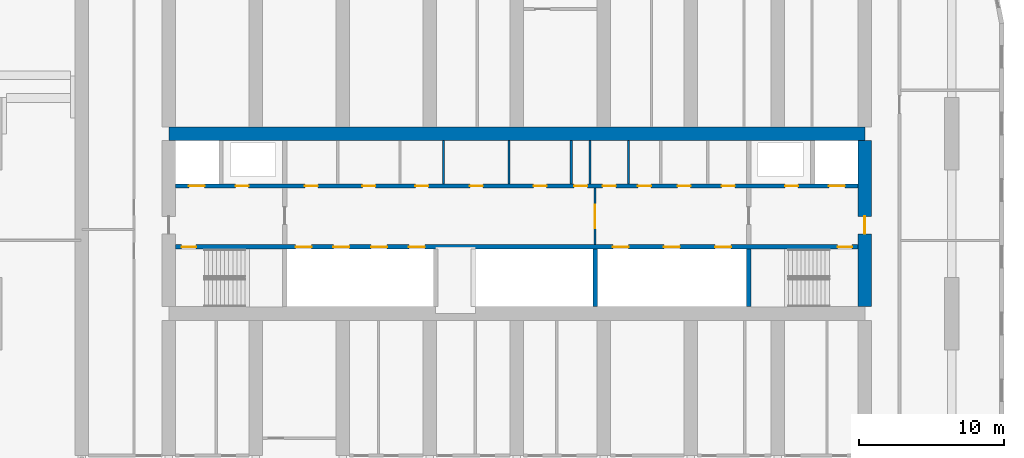
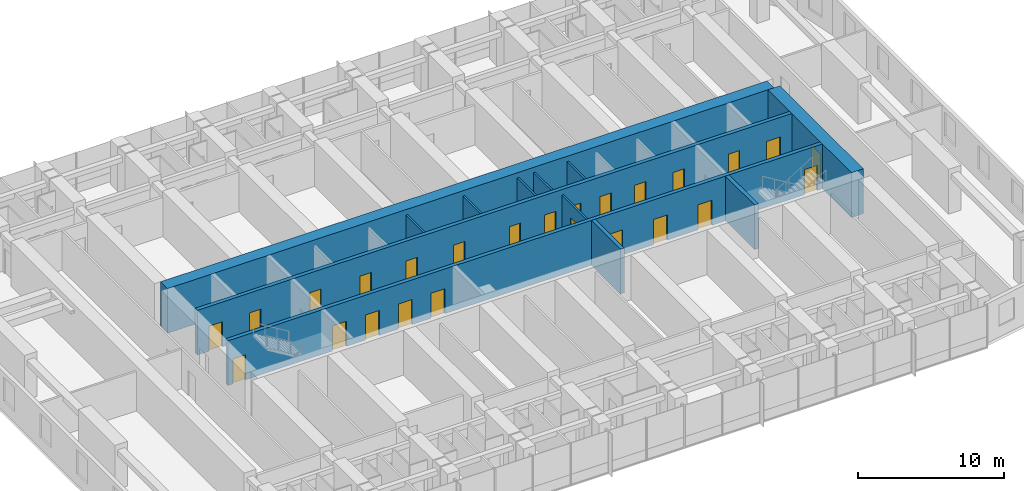
# One storey, part 12 of 22: 25 doors, 12 walls, 25 openings.
"""IFC4 building model written with IfcOpenShell, lengths in metres."""

from ifc_helpers import new_model, si_unit, direction, frame, frame_2d, origin, place, context, subcontext, project, spatial, rectangle, extrude, material, layer, layer_set, type_object, element, fill, save


model = new_model("IFC4")

# Units and contexts
model_context = context("Model", 3, precision=1e-05, world=origin(), true_north=direction((0.0, 1.0)))
body_context = subcontext(model_context, "Body", "Model", "MODEL_VIEW")
ifc_project = project(units=[si_unit("LENGTHUNIT", "METRE"), si_unit("AREAUNIT", "SQUARE_METRE"), si_unit("VOLUMEUNIT", "CUBIC_METRE"), si_unit("PLANEANGLEUNIT", "RADIAN"), si_unit("MASSUNIT", "GRAM", prefix="KILO")], contexts=[model_context])

# Site, building, storey
site_placement = place(None, origin())
site = spatial("IfcSite", under=ifc_project, at=site_placement, CompositionType="ELEMENT")
building_placement = place(site_placement, origin())
building = spatial("IfcBuilding", under=site, at=building_placement, Name="Orbita Commons", CompositionType="ELEMENT")
storey_placement = place(building_placement, frame((0.0, 0.0, 80.64990234375)))
storey = spatial("IfcBuildingStorey", under=building, at=storey_placement, Name="L19", CompositionType="ELEMENT", Elevation=80.64990234375)

# Wall, openings, doors
ifc_material_1 = material(Name="Concrete C50/60", Category="concrete")
ifc_layer_1 = layer(ifc_material_1, 0.300048828125)
ifc_layer_set_1 = layer_set([ifc_layer_1], Name="Concrete C50/60")
wall_type_1 = type_object("IfcWallType", Name="Core inner wall 300 C50/60", PredefinedType="SHEAR", material=ifc_layer_set_1)
wall_1_placement = place(storey_placement, frame((18.47509765625, 30.39990234375, 0.0), z_axis=(0.0, 0.0, 1.0), x_axis=(1.0, 0.0, 0.0)))
wall_1 = element("IfcWall", 1, at=wall_1_placement, inside=storey, type_object=wall_type_1, Name="Lobby wall south L19", PredefinedType="SHEAR", context=body_context, shape_type="SweptSolid", body=[
    extrude(rectangle(XDim=47.0498046875, YDim=0.300048828125, at=frame_2d((23.52490234375, 0.0))), origin(), (0.0, 0.0, 1.0), 3.75),
])
opening_1_placement = place(wall_1_placement, frame((0.39990234375, 0.0, 0.0)))
opening_1 = element("IfcOpeningElement", 2, at=opening_1_placement, cuts=wall_1, Name="Opening D02", PredefinedType="OPENING", context=body_context, shape_type="SweptSolid", body=[
    extrude(rectangle(XDim=1.0, YDim=2.10009765625, at=frame_2d((0.5, 1.050048828125))), frame((0.0, 0.159912109375, 0.0), z_axis=(0.0, -1.0, 0.0), x_axis=(1.0, 0.0, 0.0)), (0.0, 0.0, 1.0), 0.320068359375),
])
opening_2_placement = place(wall_1_placement, frame((45.64990234375, 0.0, 0.0)))
opening_2 = element("IfcOpeningElement", 3, at=opening_2_placement, cuts=wall_1, Name="Opening D02", PredefinedType="OPENING", context=body_context, shape_type="SweptSolid", body=[
    extrude(rectangle(XDim=1.0, YDim=2.10009765625, at=frame_2d((0.5, 1.050048828125))), frame((0.0, 0.159912109375, 0.0), z_axis=(0.0, -1.0, 0.0), x_axis=(1.0, 0.0, 0.0)), (0.0, 0.0, 1.0), 0.320068359375),
])
opening_3_placement = place(wall_1_placement, frame((8.27490234375, 0.0, 0.0)))
opening_3 = element("IfcOpeningElement", 4, at=opening_3_placement, cuts=wall_1, Name="Opening LD02", PredefinedType="OPENING", context=body_context, shape_type="SweptSolid", body=[
    extrude(rectangle(XDim=1.10009765625, YDim=2.10009765625, at=frame_2d((0.550048828125, 1.050048828125))), frame((0.0, 0.159912109375, 0.0), z_axis=(0.0, -1.0, 0.0), x_axis=(1.0, 0.0, 0.0)), (0.0, 0.0, 1.0), 0.320068359375),
])
opening_4_placement = place(wall_1_placement, frame((10.875, 0.0, 0.0)))
opening_4 = element("IfcOpeningElement", 5, at=opening_4_placement, cuts=wall_1, Name="Opening LD02", PredefinedType="OPENING", context=body_context, shape_type="SweptSolid", body=[
    extrude(rectangle(XDim=1.10009765625, YDim=2.10009765625, at=frame_2d((0.550048828125, 1.050048828125))), frame((0.0, 0.159912109375, 0.0), z_axis=(0.0, -1.0, 0.0), x_axis=(1.0, 0.0, 0.0)), (0.0, 0.0, 1.0), 0.320068359375),
])
opening_5_placement = place(wall_1_placement, frame((13.47509765625, 0.0, 0.0)))
opening_5 = element("IfcOpeningElement", 6, at=opening_5_placement, cuts=wall_1, Name="Opening LD02", PredefinedType="OPENING", context=body_context, shape_type="SweptSolid", body=[
    extrude(rectangle(XDim=1.10009765625, YDim=2.10009765625, at=frame_2d((0.550048828125, 1.050048828125))), frame((0.0, 0.159912109375, 0.0), z_axis=(0.0, -1.0, 0.0), x_axis=(1.0, 0.0, 0.0)), (0.0, 0.0, 1.0), 0.320068359375),
])
opening_6_placement = place(wall_1_placement, frame((16.074951171875, 0.0, 0.0)))
opening_6 = element("IfcOpeningElement", 7, at=opening_6_placement, cuts=wall_1, Name="Opening LD02", PredefinedType="OPENING", context=body_context, shape_type="SweptSolid", body=[
    extrude(rectangle(XDim=1.10009765625, YDim=2.10009765625, at=frame_2d((0.550048828125, 1.050048828125))), frame((0.0, 0.159912109375, 0.0), z_axis=(0.0, -1.0, 0.0), x_axis=(1.0, 0.0, 0.0)), (0.0, 0.0, 1.0), 0.320068359375),
])
opening_7_placement = place(wall_1_placement, frame((30.1416015625, 0.0, 0.0)))
opening_7 = element("IfcOpeningElement", 8, at=opening_7_placement, cuts=wall_1, Name="Opening LD02", PredefinedType="OPENING", context=body_context, shape_type="SweptSolid", body=[
    extrude(rectangle(XDim=1.10009765625, YDim=2.10009765625, at=frame_2d((0.550048828125, 1.050048828125))), frame((0.0, 0.159912109375, 0.0), z_axis=(0.0, -1.0, 0.0), x_axis=(1.0, 0.0, 0.0)), (0.0, 0.0, 1.0), 0.320068359375),
])
opening_8_placement = place(wall_1_placement, frame((33.675048828125, 0.0, 0.0)))
opening_8 = element("IfcOpeningElement", 9, at=opening_8_placement, cuts=wall_1, Name="Opening LD02", PredefinedType="OPENING", context=body_context, shape_type="SweptSolid", body=[
    extrude(rectangle(XDim=1.10009765625, YDim=2.10009765625, at=frame_2d((0.550048828125, 1.050048828125))), frame((0.0, 0.159912109375, 0.0), z_axis=(0.0, -1.0, 0.0), x_axis=(1.0, 0.0, 0.0)), (0.0, 0.0, 1.0), 0.320068359375),
])
opening_9_placement = place(wall_1_placement, frame((37.208251953125, 0.0, 0.0)))
opening_9 = element("IfcOpeningElement", 10, at=opening_9_placement, cuts=wall_1, Name="Opening LD02", PredefinedType="OPENING", context=body_context, shape_type="SweptSolid", body=[
    extrude(rectangle(XDim=1.10009765625, YDim=2.10009765625, at=frame_2d((0.550048828125, 1.050048828125))), frame((0.0, 0.159912109375, 0.0), z_axis=(0.0, -1.0, 0.0), x_axis=(1.0, 0.0, 0.0)), (0.0, 0.0, 1.0), 0.320068359375),
])
ifc_material_2 = material(Name="Steel-faced fire door leaf", Category="steel")
door_type_1 = type_object("IfcDoorType", Name="Fire door 90 min 1000x2100", OperationType="SINGLE_SWING_LEFT", PredefinedType="DOOR", material=ifc_material_2)
door_1_placement = place(opening_1_placement, origin())
door_1 = element("IfcDoor", 11, at=door_1_placement, inside=storey, type_object=door_type_1, Name="Stair S1 door", OperationType="SINGLE_SWING_LEFT", OverallHeight=2.10009765625, OverallWidth=1.0, PredefinedType="DOOR", context=body_context, shape_type="SweptSolid", body=[
    extrude(rectangle(XDim=1.0, YDim=2.10009765625, at=frame_2d((0.5, 1.050048828125))), frame((0.0, 0.02490234375, 0.0), z_axis=(0.0, -1.0, 0.0), x_axis=(1.0, 0.0, 0.0)), (0.0, 0.0, 1.0), 0.050048828125),
])
fill(opening_1, door_1)
door_2_placement = place(opening_2_placement, origin())
door_2 = element("IfcDoor", 12, at=door_2_placement, inside=storey, type_object=door_type_1, Name="Stair S2 door", OperationType="SINGLE_SWING_LEFT", OverallHeight=2.10009765625, OverallWidth=1.0, PredefinedType="DOOR", context=body_context, shape_type="SweptSolid", body=[
    extrude(rectangle(XDim=1.0, YDim=2.10009765625, at=frame_2d((0.5, 1.050048828125))), frame((0.0, 0.02490234375, 0.0), z_axis=(0.0, -1.0, 0.0), x_axis=(1.0, 0.0, 0.0)), (0.0, 0.0, 1.0), 0.050048828125),
])
fill(opening_2, door_2)
ifc_material_3 = material(Name="Steel-faced fire door leaf", Category="steel")
door_type_2 = type_object("IfcDoorType", Name="Lift landing door 1100x2100", OperationType="DOUBLE_DOOR_SLIDING", PredefinedType="DOOR", material=ifc_material_3)
door_3_placement = place(opening_3_placement, origin())
door_3 = element("IfcDoor", 13, at=door_3_placement, inside=storey, type_object=door_type_2, Name="Lift P21 landing door", OperationType="DOUBLE_DOOR_SLIDING", OverallHeight=2.10009765625, OverallWidth=1.10009765625, PredefinedType="DOOR", context=body_context, shape_type="SweptSolid", body=[
    extrude(rectangle(XDim=1.10009765625, YDim=2.10009765625, at=frame_2d((0.550048828125, 1.050048828125))), frame((0.0, 0.02490234375, 0.0), z_axis=(0.0, -1.0, 0.0), x_axis=(1.0, 0.0, 0.0)), (0.0, 0.0, 1.0), 0.050048828125),
])
fill(opening_3, door_3)
door_4_placement = place(opening_4_placement, origin())
door_4 = element("IfcDoor", 14, at=door_4_placement, inside=storey, type_object=door_type_2, Name="Lift P22 landing door", OperationType="DOUBLE_DOOR_SLIDING", OverallHeight=2.10009765625, OverallWidth=1.10009765625, PredefinedType="DOOR", context=body_context, shape_type="SweptSolid", body=[
    extrude(rectangle(XDim=1.10009765625, YDim=2.10009765625, at=frame_2d((0.550048828125, 1.050048828125))), frame((0.0, 0.02490234375, 0.0), z_axis=(0.0, -1.0, 0.0), x_axis=(1.0, 0.0, 0.0)), (0.0, 0.0, 1.0), 0.050048828125),
])
fill(opening_4, door_4)
door_5_placement = place(opening_5_placement, origin())
door_5 = element("IfcDoor", 15, at=door_5_placement, inside=storey, type_object=door_type_2, Name="Lift P23 landing door", OperationType="DOUBLE_DOOR_SLIDING", OverallHeight=2.10009765625, OverallWidth=1.10009765625, PredefinedType="DOOR", context=body_context, shape_type="SweptSolid", body=[
    extrude(rectangle(XDim=1.10009765625, YDim=2.10009765625, at=frame_2d((0.550048828125, 1.050048828125))), frame((0.0, 0.02490234375, 0.0), z_axis=(0.0, -1.0, 0.0), x_axis=(1.0, 0.0, 0.0)), (0.0, 0.0, 1.0), 0.050048828125),
])
fill(opening_5, door_5)
door_6_placement = place(opening_6_placement, origin())
door_6 = element("IfcDoor", 16, at=door_6_placement, inside=storey, type_object=door_type_2, Name="Lift P24 landing door", OperationType="DOUBLE_DOOR_SLIDING", OverallHeight=2.10009765625, OverallWidth=1.10009765625, PredefinedType="DOOR", context=body_context, shape_type="SweptSolid", body=[
    extrude(rectangle(XDim=1.10009765625, YDim=2.10009765625, at=frame_2d((0.550048828125, 1.050048828125))), frame((0.0, 0.02490234375, 0.0), z_axis=(0.0, -1.0, 0.0), x_axis=(1.0, 0.0, 0.0)), (0.0, 0.0, 1.0), 0.050048828125),
])
fill(opening_6, door_6)
door_7_placement = place(opening_7_placement, origin())
door_7 = element("IfcDoor", 17, at=door_7_placement, inside=storey, type_object=door_type_2, Name="Lift SV1 landing door", OperationType="DOUBLE_DOOR_SLIDING", OverallHeight=2.10009765625, OverallWidth=1.10009765625, PredefinedType="DOOR", context=body_context, shape_type="SweptSolid", body=[
    extrude(rectangle(XDim=1.10009765625, YDim=2.10009765625, at=frame_2d((0.550048828125, 1.050048828125))), frame((0.0, 0.02490234375, 0.0), z_axis=(0.0, -1.0, 0.0), x_axis=(1.0, 0.0, 0.0)), (0.0, 0.0, 1.0), 0.050048828125),
])
fill(opening_7, door_7)
door_8_placement = place(opening_8_placement, origin())
door_8 = element("IfcDoor", 18, at=door_8_placement, inside=storey, type_object=door_type_2, Name="Lift SV2 landing door", OperationType="DOUBLE_DOOR_SLIDING", OverallHeight=2.10009765625, OverallWidth=1.10009765625, PredefinedType="DOOR", context=body_context, shape_type="SweptSolid", body=[
    extrude(rectangle(XDim=1.10009765625, YDim=2.10009765625, at=frame_2d((0.550048828125, 1.050048828125))), frame((0.0, 0.02490234375, 0.0), z_axis=(0.0, -1.0, 0.0), x_axis=(1.0, 0.0, 0.0)), (0.0, 0.0, 1.0), 0.050048828125),
])
fill(opening_8, door_8)
door_9_placement = place(opening_9_placement, origin())
door_9 = element("IfcDoor", 19, at=door_9_placement, inside=storey, type_object=door_type_2, Name="Lift SV3 landing door", OperationType="DOUBLE_DOOR_SLIDING", OverallHeight=2.10009765625, OverallWidth=1.10009765625, PredefinedType="DOOR", context=body_context, shape_type="SweptSolid", body=[
    extrude(rectangle(XDim=1.10009765625, YDim=2.10009765625, at=frame_2d((0.550048828125, 1.050048828125))), frame((0.0, 0.02490234375, 0.0), z_axis=(0.0, -1.0, 0.0), x_axis=(1.0, 0.0, 0.0)), (0.0, 0.0, 1.0), 0.050048828125),
])
fill(opening_9, door_9)

wall_2_placement = place(storey_placement, frame((18.47509765625, 34.60009765625, 0.0), z_axis=(0.0, 0.0, 1.0), x_axis=(1.0, 0.0, 0.0)))
wall_2 = element("IfcWall", 20, at=wall_2_placement, inside=storey, type_object=wall_type_1, Name="Lobby wall north L19", PredefinedType="SHEAR", context=body_context, shape_type="SweptSolid", body=[
    extrude(rectangle(XDim=47.0498046875, YDim=0.300048828125, at=frame_2d((23.52490234375, 0.0))), origin(), (0.0, 0.0, 1.0), 3.75),
])
opening_10_placement = place(wall_2_placement, frame((0.89990234375, 0.0, 0.0)))
opening_10 = element("IfcOpeningElement", 21, at=opening_10_placement, cuts=wall_2, Name="Opening LD01", PredefinedType="OPENING", context=body_context, shape_type="SweptSolid", body=[
    extrude(rectangle(XDim=1.10009765625, YDim=2.10009765625, at=frame_2d((0.550048828125, 1.050048828125))), frame((0.0, 0.159912109375, 0.0), z_axis=(0.0, -1.0, 0.0), x_axis=(1.0, 0.0, 0.0)), (0.0, 0.0, 1.0), 0.320068359375),
])
opening_11_placement = place(wall_2_placement, frame((45.050048828125, 0.0, 0.0)))
opening_11 = element("IfcOpeningElement", 22, at=opening_11_placement, cuts=wall_2, Name="Opening LD01", PredefinedType="OPENING", context=body_context, shape_type="SweptSolid", body=[
    extrude(rectangle(XDim=1.10009765625, YDim=2.10009765625, at=frame_2d((0.550048828125, 1.050048828125))), frame((0.0, 0.159912109375, 0.0), z_axis=(0.0, -1.0, 0.0), x_axis=(1.0, 0.0, 0.0)), (0.0, 0.0, 1.0), 0.320068359375),
])
opening_12_placement = place(wall_2_placement, frame((4.125, 0.0, 0.0)))
opening_12 = element("IfcOpeningElement", 23, at=opening_12_placement, cuts=wall_2, Name="Opening D03", PredefinedType="OPENING", context=body_context, shape_type="SweptSolid", body=[
    extrude(rectangle(XDim=0.89990234375, YDim=2.10009765625, at=frame_2d((0.449951171875, 1.050048828125))), frame((0.0, 0.159912109375, 0.0), z_axis=(0.0, -1.0, 0.0), x_axis=(1.0, 0.0, 0.0)), (0.0, 0.0, 1.0), 0.320068359375),
])
opening_13_placement = place(wall_2_placement, frame((42.02490234375, 0.0, 0.0)))
opening_13 = element("IfcOpeningElement", 24, at=opening_13_placement, cuts=wall_2, Name="Opening D03", PredefinedType="OPENING", context=body_context, shape_type="SweptSolid", body=[
    extrude(rectangle(XDim=0.89990234375, YDim=2.10009765625, at=frame_2d((0.449951171875, 1.050048828125))), frame((0.0, 0.159912109375, 0.0), z_axis=(0.0, -1.0, 0.0), x_axis=(1.0, 0.0, 0.0)), (0.0, 0.0, 1.0), 0.320068359375),
])
opening_14_placement = place(wall_2_placement, frame((8.900390625, 0.0, 0.0)))
opening_14 = element("IfcOpeningElement", 25, at=opening_14_placement, cuts=wall_2, Name="Opening D03", PredefinedType="OPENING", context=body_context, shape_type="SweptSolid", body=[
    extrude(rectangle(XDim=0.89990234375, YDim=2.10009765625, at=frame_2d((0.449951171875, 1.050048828125))), frame((0.0, 0.159912109375, 0.0), z_axis=(0.0, -1.0, 0.0), x_axis=(1.0, 0.0, 0.0)), (0.0, 0.0, 1.0), 0.320068359375),
])
opening_15_placement = place(wall_2_placement, frame((12.873779296875, 0.0, 0.0)))
opening_15 = element("IfcOpeningElement", 26, at=opening_15_placement, cuts=wall_2, Name="Opening D03", PredefinedType="OPENING", context=body_context, shape_type="SweptSolid", body=[
    extrude(rectangle(XDim=0.89990234375, YDim=2.10009765625, at=frame_2d((0.449951171875, 1.050048828125))), frame((0.0, 0.159912109375, 0.0), z_axis=(0.0, -1.0, 0.0), x_axis=(1.0, 0.0, 0.0)), (0.0, 0.0, 1.0), 0.320068359375),
])
opening_16_placement = place(wall_2_placement, frame((16.521240234375, 0.0, 0.0)))
opening_16 = element("IfcOpeningElement", 27, at=opening_16_placement, cuts=wall_2, Name="Opening D03", PredefinedType="OPENING", context=body_context, shape_type="SweptSolid", body=[
    extrude(rectangle(XDim=0.89990234375, YDim=2.10009765625, at=frame_2d((0.449951171875, 1.050048828125))), frame((0.0, 0.159912109375, 0.0), z_axis=(0.0, -1.0, 0.0), x_axis=(1.0, 0.0, 0.0)), (0.0, 0.0, 1.0), 0.320068359375),
])
opening_17_placement = place(wall_2_placement, frame((20.27978515625, 0.0, 0.0)))
opening_17 = element("IfcOpeningElement", 28, at=opening_17_placement, cuts=wall_2, Name="Opening D03", PredefinedType="OPENING", context=body_context, shape_type="SweptSolid", body=[
    extrude(rectangle(XDim=0.89990234375, YDim=2.10009765625, at=frame_2d((0.449951171875, 1.050048828125))), frame((0.0, 0.159912109375, 0.0), z_axis=(0.0, -1.0, 0.0), x_axis=(1.0, 0.0, 0.0)), (0.0, 0.0, 1.0), 0.320068359375),
])
opening_18_placement = place(wall_2_placement, frame((24.685791015625, 0.0, 0.0)))
opening_18 = element("IfcOpeningElement", 29, at=opening_18_placement, cuts=wall_2, Name="Opening D03", PredefinedType="OPENING", context=body_context, shape_type="SweptSolid", body=[
    extrude(rectangle(XDim=0.89990234375, YDim=2.10009765625, at=frame_2d((0.449951171875, 1.050048828125))), frame((0.0, 0.159912109375, 0.0), z_axis=(0.0, -1.0, 0.0), x_axis=(1.0, 0.0, 0.0)), (0.0, 0.0, 1.0), 0.320068359375),
])
opening_19_placement = place(wall_2_placement, frame((27.4833984375, 0.0, 0.0)))
opening_19 = element("IfcOpeningElement", 30, at=opening_19_placement, cuts=wall_2, Name="Opening D03", PredefinedType="OPENING", context=body_context, shape_type="SweptSolid", body=[
    extrude(rectangle(XDim=0.89990234375, YDim=2.10009765625, at=frame_2d((0.449951171875, 1.050048828125))), frame((0.0, 0.159912109375, 0.0), z_axis=(0.0, -1.0, 0.0), x_axis=(1.0, 0.0, 0.0)), (0.0, 0.0, 1.0), 0.320068359375),
])
opening_20_placement = place(wall_2_placement, frame((29.450439453125, 0.0, 0.0)))
opening_20 = element("IfcOpeningElement", 31, at=opening_20_placement, cuts=wall_2, Name="Opening D05", PredefinedType="OPENING", context=body_context, shape_type="SweptSolid", body=[
    extrude(rectangle(XDim=0.89990234375, YDim=2.10009765625, at=frame_2d((0.449951171875, 1.050048828125))), frame((0.0, 0.159912109375, 0.0), z_axis=(0.0, -1.0, 0.0), x_axis=(1.0, 0.0, 0.0)), (0.0, 0.0, 1.0), 0.320068359375),
])
opening_21_placement = place(wall_2_placement, frame((31.8818359375, 0.0, 0.0)))
opening_21 = element("IfcOpeningElement", 32, at=opening_21_placement, cuts=wall_2, Name="Opening D05", PredefinedType="OPENING", context=body_context, shape_type="SweptSolid", body=[
    extrude(rectangle(XDim=0.89990234375, YDim=2.10009765625, at=frame_2d((0.449951171875, 1.050048828125))), frame((0.0, 0.159912109375, 0.0), z_axis=(0.0, -1.0, 0.0), x_axis=(1.0, 0.0, 0.0)), (0.0, 0.0, 1.0), 0.320068359375),
])
opening_22_placement = place(wall_2_placement, frame((34.6171875, 0.0, 0.0)))
opening_22 = element("IfcOpeningElement", 33, at=opening_22_placement, cuts=wall_2, Name="Opening D05", PredefinedType="OPENING", context=body_context, shape_type="SweptSolid", body=[
    extrude(rectangle(XDim=0.89990234375, YDim=2.10009765625, at=frame_2d((0.449951171875, 1.050048828125))), frame((0.0, 0.159912109375, 0.0), z_axis=(0.0, -1.0, 0.0), x_axis=(1.0, 0.0, 0.0)), (0.0, 0.0, 1.0), 0.320068359375),
])
opening_23_placement = place(wall_2_placement, frame((37.656494140625, 0.0, 0.0)))
opening_23 = element("IfcOpeningElement", 34, at=opening_23_placement, cuts=wall_2, Name="Opening D03", PredefinedType="OPENING", context=body_context, shape_type="SweptSolid", body=[
    extrude(rectangle(XDim=0.89990234375, YDim=2.10009765625, at=frame_2d((0.449951171875, 1.050048828125))), frame((0.0, 0.159912109375, 0.0), z_axis=(0.0, -1.0, 0.0), x_axis=(1.0, 0.0, 0.0)), (0.0, 0.0, 1.0), 0.320068359375),
])
ifc_material_4 = material(Name="Steel-faced fire door leaf", Category="steel")
door_type_3 = type_object("IfcDoorType", Name="Firefighting lift landing door 1100x2100", OperationType="DOUBLE_DOOR_SLIDING", PredefinedType="DOOR", material=ifc_material_4)
door_10_placement = place(opening_10_placement, origin())
door_10 = element("IfcDoor", 35, at=door_10_placement, inside=storey, type_object=door_type_3, Name="Firefighting lift FL1 landing door", OperationType="DOUBLE_DOOR_SLIDING", OverallHeight=2.10009765625, OverallWidth=1.10009765625, PredefinedType="DOOR", context=body_context, shape_type="SweptSolid", body=[
    extrude(rectangle(XDim=1.10009765625, YDim=2.10009765625, at=frame_2d((0.550048828125, 1.050048828125))), frame((0.0, 0.02490234375, 0.0), z_axis=(0.0, -1.0, 0.0), x_axis=(1.0, 0.0, 0.0)), (0.0, 0.0, 1.0), 0.050048828125),
])
fill(opening_10, door_10)
door_11_placement = place(opening_11_placement, origin())
door_11 = element("IfcDoor", 36, at=door_11_placement, inside=storey, type_object=door_type_3, Name="Firefighting lift FL2 landing door", OperationType="DOUBLE_DOOR_SLIDING", OverallHeight=2.10009765625, OverallWidth=1.10009765625, PredefinedType="DOOR", context=body_context, shape_type="SweptSolid", body=[
    extrude(rectangle(XDim=1.10009765625, YDim=2.10009765625, at=frame_2d((0.550048828125, 1.050048828125))), frame((0.0, 0.02490234375, 0.0), z_axis=(0.0, -1.0, 0.0), x_axis=(1.0, 0.0, 0.0)), (0.0, 0.0, 1.0), 0.050048828125),
])
fill(opening_11, door_11)
ifc_material_5 = material(Name="Steel-faced fire door leaf", Category="steel")
door_type_4 = type_object("IfcDoorType", Name="Service door 20 min 900x2100", OperationType="SINGLE_SWING_LEFT", PredefinedType="DOOR", material=ifc_material_5)
door_12_placement = place(opening_20_placement, origin())
door_12 = element("IfcDoor", 37, at=door_12_placement, inside=storey, type_object=door_type_4, Name="Accessible WC door", OperationType="SINGLE_SWING_LEFT", OverallHeight=2.10009765625, OverallWidth=0.89990234375, PredefinedType="DOOR", context=body_context, shape_type="SweptSolid", body=[
    extrude(rectangle(XDim=0.89990234375, YDim=2.10009765625, at=frame_2d((0.449951171875, 1.050048828125))), frame((0.0, 0.02490234375, 0.0), z_axis=(0.0, -1.0, 0.0), x_axis=(1.0, 0.0, 0.0)), (0.0, 0.0, 1.0), 0.050048828125),
])
fill(opening_20, door_12)
door_13_placement = place(opening_21_placement, origin())
door_13 = element("IfcDoor", 38, at=door_13_placement, inside=storey, type_object=door_type_4, Name="Staff WC door", OperationType="SINGLE_SWING_LEFT", OverallHeight=2.10009765625, OverallWidth=0.89990234375, PredefinedType="DOOR", context=body_context, shape_type="SweptSolid", body=[
    extrude(rectangle(XDim=0.89990234375, YDim=2.10009765625, at=frame_2d((0.449951171875, 1.050048828125))), frame((0.0, 0.02490234375, 0.0), z_axis=(0.0, -1.0, 0.0), x_axis=(1.0, 0.0, 0.0)), (0.0, 0.0, 1.0), 0.050048828125),
])
fill(opening_21, door_13)
door_14_placement = place(opening_22_placement, origin())
door_14 = element("IfcDoor", 39, at=door_14_placement, inside=storey, type_object=door_type_4, Name="Guest pantry door", OperationType="SINGLE_SWING_LEFT", OverallHeight=2.10009765625, OverallWidth=0.89990234375, PredefinedType="DOOR", context=body_context, shape_type="SweptSolid", body=[
    extrude(rectangle(XDim=0.89990234375, YDim=2.10009765625, at=frame_2d((0.449951171875, 1.050048828125))), frame((0.0, 0.02490234375, 0.0), z_axis=(0.0, -1.0, 0.0), x_axis=(1.0, 0.0, 0.0)), (0.0, 0.0, 1.0), 0.050048828125),
])
fill(opening_22, door_14)
ifc_material_6 = material(Name="Steel-faced fire door leaf", Category="steel")
door_type_5 = type_object("IfcDoorType", Name="Shaft access door 90 min 900x2100", OperationType="SINGLE_SWING_LEFT", PredefinedType="DOOR", material=ifc_material_6)
door_15_placement = place(opening_12_placement, origin())
door_15 = element("IfcDoor", 40, at=door_15_placement, inside=storey, type_object=door_type_5, Name="Riser door west", OperationType="SINGLE_SWING_LEFT", OverallHeight=2.10009765625, OverallWidth=0.89990234375, PredefinedType="DOOR", context=body_context, shape_type="SweptSolid", body=[
    extrude(rectangle(XDim=0.89990234375, YDim=2.10009765625, at=frame_2d((0.449951171875, 1.050048828125))), frame((0.0, 0.02490234375, 0.0), z_axis=(0.0, -1.0, 0.0), x_axis=(1.0, 0.0, 0.0)), (0.0, 0.0, 1.0), 0.050048828125),
])
fill(opening_12, door_15)
door_16_placement = place(opening_13_placement, origin())
door_16 = element("IfcDoor", 41, at=door_16_placement, inside=storey, type_object=door_type_5, Name="Riser door east", OperationType="SINGLE_SWING_LEFT", OverallHeight=2.10009765625, OverallWidth=0.89990234375, PredefinedType="DOOR", context=body_context, shape_type="SweptSolid", body=[
    extrude(rectangle(XDim=0.89990234375, YDim=2.10009765625, at=frame_2d((0.449951171875, 1.050048828125))), frame((0.0, 0.02490234375, 0.0), z_axis=(0.0, -1.0, 0.0), x_axis=(1.0, 0.0, 0.0)), (0.0, 0.0, 1.0), 0.050048828125),
])
fill(opening_13, door_16)
door_17_placement = place(opening_14_placement, origin())
door_17 = element("IfcDoor", 42, at=door_17_placement, inside=storey, type_object=door_type_5, Name="Cleaners store door", OperationType="SINGLE_SWING_LEFT", OverallHeight=2.10009765625, OverallWidth=0.89990234375, PredefinedType="DOOR", context=body_context, shape_type="SweptSolid", body=[
    extrude(rectangle(XDim=0.89990234375, YDim=2.10009765625, at=frame_2d((0.449951171875, 1.050048828125))), frame((0.0, 0.02490234375, 0.0), z_axis=(0.0, -1.0, 0.0), x_axis=(1.0, 0.0, 0.0)), (0.0, 0.0, 1.0), 0.050048828125),
])
fill(opening_14, door_17)
door_18_placement = place(opening_15_placement, origin())
door_18 = element("IfcDoor", 43, at=door_18_placement, inside=storey, type_object=door_type_5, Name="Refuse chute room door", OperationType="SINGLE_SWING_LEFT", OverallHeight=2.10009765625, OverallWidth=0.89990234375, PredefinedType="DOOR", context=body_context, shape_type="SweptSolid", body=[
    extrude(rectangle(XDim=0.89990234375, YDim=2.10009765625, at=frame_2d((0.449951171875, 1.050048828125))), frame((0.0, 0.02490234375, 0.0), z_axis=(0.0, -1.0, 0.0), x_axis=(1.0, 0.0, 0.0)), (0.0, 0.0, 1.0), 0.050048828125),
])
fill(opening_15, door_18)
door_19_placement = place(opening_16_placement, origin())
door_19 = element("IfcDoor", 44, at=door_19_placement, inside=storey, type_object=door_type_5, Name="Electrical riser room door", OperationType="SINGLE_SWING_LEFT", OverallHeight=2.10009765625, OverallWidth=0.89990234375, PredefinedType="DOOR", context=body_context, shape_type="SweptSolid", body=[
    extrude(rectangle(XDim=0.89990234375, YDim=2.10009765625, at=frame_2d((0.449951171875, 1.050048828125))), frame((0.0, 0.02490234375, 0.0), z_axis=(0.0, -1.0, 0.0), x_axis=(1.0, 0.0, 0.0)), (0.0, 0.0, 1.0), 0.050048828125),
])
fill(opening_16, door_19)
door_20_placement = place(opening_17_placement, origin())
door_20 = element("IfcDoor", 45, at=door_20_placement, inside=storey, type_object=door_type_5, Name="IT room door", OperationType="SINGLE_SWING_LEFT", OverallHeight=2.10009765625, OverallWidth=0.89990234375, PredefinedType="DOOR", context=body_context, shape_type="SweptSolid", body=[
    extrude(rectangle(XDim=0.89990234375, YDim=2.10009765625, at=frame_2d((0.449951171875, 1.050048828125))), frame((0.0, 0.02490234375, 0.0), z_axis=(0.0, -1.0, 0.0), x_axis=(1.0, 0.0, 0.0)), (0.0, 0.0, 1.0), 0.050048828125),
])
fill(opening_17, door_20)
door_21_placement = place(opening_18_placement, origin())
door_21 = element("IfcDoor", 46, at=door_21_placement, inside=storey, type_object=door_type_5, Name="Communications room door", OperationType="SINGLE_SWING_LEFT", OverallHeight=2.10009765625, OverallWidth=0.89990234375, PredefinedType="DOOR", context=body_context, shape_type="SweptSolid", body=[
    extrude(rectangle(XDim=0.89990234375, YDim=2.10009765625, at=frame_2d((0.449951171875, 1.050048828125))), frame((0.0, 0.02490234375, 0.0), z_axis=(0.0, -1.0, 0.0), x_axis=(1.0, 0.0, 0.0)), (0.0, 0.0, 1.0), 0.050048828125),
])
fill(opening_18, door_21)
door_22_placement = place(opening_19_placement, origin())
door_22 = element("IfcDoor", 47, at=door_22_placement, inside=storey, type_object=door_type_5, Name="Stair pressurisation duct door", OperationType="SINGLE_SWING_LEFT", OverallHeight=2.10009765625, OverallWidth=0.89990234375, PredefinedType="DOOR", context=body_context, shape_type="SweptSolid", body=[
    extrude(rectangle(XDim=0.89990234375, YDim=2.10009765625, at=frame_2d((0.449951171875, 1.050048828125))), frame((0.0, 0.02490234375, 0.0), z_axis=(0.0, -1.0, 0.0), x_axis=(1.0, 0.0, 0.0)), (0.0, 0.0, 1.0), 0.050048828125),
])
fill(opening_19, door_22)
door_23_placement = place(opening_23_placement, origin())
door_23 = element("IfcDoor", 48, at=door_23_placement, inside=storey, type_object=door_type_5, Name="Linen store door", OperationType="SINGLE_SWING_LEFT", OverallHeight=2.10009765625, OverallWidth=0.89990234375, PredefinedType="DOOR", context=body_context, shape_type="SweptSolid", body=[
    extrude(rectangle(XDim=0.89990234375, YDim=2.10009765625, at=frame_2d((0.449951171875, 1.050048828125))), frame((0.0, 0.02490234375, 0.0), z_axis=(0.0, -1.0, 0.0), x_axis=(1.0, 0.0, 0.0)), (0.0, 0.0, 1.0), 0.050048828125),
])
fill(opening_23, door_23)

# Walls
for number, where, z_axis, x_axis, name in (
    (49, (58.0, 26.27490234375, 0.0), (0.0, 0.0, 1.0), (0.0, 1.0, 0.0), "Stair S2 wall L19"),
    (50, (47.39990234375, 26.27490234375, 0.0), (0.0, 0.0, 1.0), (0.0, 1.0, 0.0), "Hoistway division wall L19"),
):
    element("IfcWall", number, at=place(storey_placement, frame(where, z_axis=z_axis, x_axis=x_axis)), inside=storey, type_object=wall_type_1, Name=name, PredefinedType="SHEAR", context=body_context, shape_type="SweptSolid", body=[
        extrude(rectangle(XDim=3.97509765625, YDim=0.300048828125, at=frame_2d((1.987548828125, 0.0))), origin(), (0.0, 0.0, 1.0), 3.75),
    ])

# Wall, opening, door
ifc_material_7 = material(Name="Concrete blockwork", Category="masonry")
ifc_layer_2 = layer(ifc_material_7, 0.14990234375)
ifc_layer_set_2 = layer_set([ifc_layer_2], Name="Concrete blockwork")
wall_type_2 = type_object("IfcWallType", Name="Core partition 150 blockwork", PredefinedType="SOLIDWALL", material=ifc_layer_set_2)
wall_3_placement = place(storey_placement, frame((47.39990234375, 30.550048828125, 0.0), z_axis=(0.0, 0.0, 1.0), x_axis=(0.0, 1.0, 0.0)))
wall_3 = element("IfcWall", 51, at=wall_3_placement, inside=storey, type_object=wall_type_2, Name="Core partition 150 blockwork L19", PredefinedType="SOLIDWALL", context=body_context, shape_type="SweptSolid", body=[
    extrude(rectangle(XDim=3.89990234375, YDim=0.14990234375, at=frame_2d((1.949951171875, 0.0))), origin(), (0.0, 0.0, 1.0), 3.300048828125),
])
opening_24_placement = place(wall_3_placement, frame((1.14990234375, 0.0, 0.0)))
opening_24 = element("IfcOpeningElement", 52, at=opening_24_placement, cuts=wall_3, Name="Opening D10", PredefinedType="OPENING", context=body_context, shape_type="SweptSolid", body=[
    extrude(rectangle(XDim=1.60009765625, YDim=2.10009765625, at=frame_2d((0.800048828125, 1.050048828125))), frame((0.0, 0.0849609375, 0.0), z_axis=(0.0, -1.0, 0.0), x_axis=(1.0, 0.0, 0.0)), (0.0, 0.0, 1.0), 0.169921875),
])
ifc_material_8 = material(Name="Steel-faced fire door leaf", Category="steel")
door_type_6 = type_object("IfcDoorType", Name="Double corridor door 20 min 1600x2100", OperationType="DOUBLE_DOOR_SINGLE_SWING", PredefinedType="DOOR", material=ifc_material_8)
door_24_placement = place(opening_24_placement, origin())
door_24 = element("IfcDoor", 53, at=door_24_placement, inside=storey, type_object=door_type_6, Name="Lift lobby screen doors", OperationType="DOUBLE_DOOR_SINGLE_SWING", OverallHeight=2.10009765625, OverallWidth=1.60009765625, PredefinedType="DOOR", context=body_context, shape_type="SweptSolid", body=[
    extrude(rectangle(XDim=1.60009765625, YDim=2.10009765625, at=frame_2d((0.800048828125, 1.050048828125))), frame((0.0, 0.02490234375, 0.0), z_axis=(0.0, -1.0, 0.0), x_axis=(1.0, 0.0, 0.0)), (0.0, 0.0, 1.0), 0.050048828125),
])
fill(opening_24, door_24)

# Walls
for number, where, z_axis, x_axis, name in (
    (54, (36.9462890625, 34.75, 0.0), (0.0, 0.0, 1.0), (0.0, 1.0, 0.0), "Core partition 150 blockwork L19"),
    (55, (41.463134765625, 34.75, 0.0), (0.0, 0.0, 1.0), (0.0, 1.0, 0.0), "Core partition 150 blockwork L19"),
    (56, (45.75830078125, 34.75, 0.0), (0.0, 0.0, 1.0), (0.0, 1.0, 0.0), "Core partition 150 blockwork L19"),
    (57, (47.058349609375, 34.75, 0.0), (0.0, 0.0, 1.0), (0.0, 1.0, 0.0), "Core partition 150 blockwork L19"),
    (58, (49.6923828125, 34.75, 0.0), (0.0, 0.0, 1.0), (0.0, 1.0, 0.0), "Core partition 150 blockwork L19"),
):
    element("IfcWall", number, at=place(storey_placement, frame(where, z_axis=z_axis, x_axis=x_axis)), inside=storey, type_object=wall_type_2, Name=name, PredefinedType="SOLIDWALL", context=body_context, shape_type="SweptSolid", body=[
        extrude(rectangle(XDim=2.97509765625, YDim=0.14990234375, at=frame_2d((1.487548828125, 0.0))), origin(), (0.0, 0.0, 1.0), 3.300048828125),
    ])
ifc_material_9 = material(Name="Concrete C50/60", Category="concrete")
ifc_layer_3 = layer(ifc_material_9, 0.949951171875)
ifc_layer_set_3 = layer_set([ifc_layer_3], Name="Concrete C50/60")
wall_type_3 = type_object("IfcWallType", Name="Core wall 950 C50/60", PredefinedType="SHEAR", material=ifc_layer_set_3)
wall_4_placement = place(storey_placement, frame((18.0, 38.199951171875, 0.0), z_axis=(0.0, 0.0, 1.0), x_axis=(1.0, 0.0, 0.0)))
element("IfcWall", 59, at=wall_4_placement, inside=storey, type_object=wall_type_3, Name="Core spine wall north L19", PredefinedType="SHEAR", context=body_context, shape_type="SweptSolid", body=[
    extrude(rectangle(XDim=48.0, YDim=0.949951171875, at=frame_2d((24.0, 0.0))), origin(), (0.0, 0.0, 1.0), 3.75),
])

# Wall, opening, door
wall_5_placement = place(storey_placement, frame((66.0, 26.27490234375, 0.0), z_axis=(0.0, 0.0, 1.0), x_axis=(0.0, 1.0, 0.0)))
wall_5 = element("IfcWall", 60, at=wall_5_placement, inside=storey, type_object=wall_type_3, Name="Core end wall east L19", PredefinedType="SHEAR", context=body_context, shape_type="SweptSolid", body=[
    extrude(rectangle(XDim=11.4501953125, YDim=0.949951171875, at=frame_2d((5.72509765625, 0.0))), origin(), (0.0, 0.0, 1.0), 3.75),
])
opening_25_placement = place(wall_5_placement, frame((5.02490234375, 0.0, 0.0)))
opening_25 = element("IfcOpeningElement", 61, at=opening_25_placement, cuts=wall_5, Name="Opening D01", PredefinedType="OPENING", context=body_context, shape_type="SweptSolid", body=[
    extrude(rectangle(XDim=1.199951171875, YDim=2.10009765625, at=frame_2d((0.60009765625, 1.050048828125))), frame((0.0, 0.48486328125, 0.0), z_axis=(0.0, -1.0, 0.0), x_axis=(1.0, 0.0, 0.0)), (0.0, 0.0, 1.0), 0.969970703125),
])
ifc_material_10 = material(Name="Steel-faced fire door leaf", Category="steel")
door_type_7 = type_object("IfcDoorType", Name="Fire door 90 min 1200x2100", OperationType="SINGLE_SWING_LEFT", PredefinedType="DOOR", material=ifc_material_10)
door_25_placement = place(opening_25_placement, origin())
door_25 = element("IfcDoor", 62, at=door_25_placement, inside=storey, type_object=door_type_7, Name="Firefighting lobby east door", OperationType="SINGLE_SWING_LEFT", OverallHeight=2.10009765625, OverallWidth=1.199951171875, PredefinedType="DOOR", context=body_context, shape_type="SweptSolid", body=[
    extrude(rectangle(XDim=1.199951171875, YDim=2.10009765625, at=frame_2d((0.60009765625, 1.050048828125))), frame((0.0, 0.02490234375, 0.0), z_axis=(0.0, -1.0, 0.0), x_axis=(1.0, 0.0, 0.0)), (0.0, 0.0, 1.0), 0.050048828125),
])
fill(opening_25, door_25)

save(model, "model.ifc")
